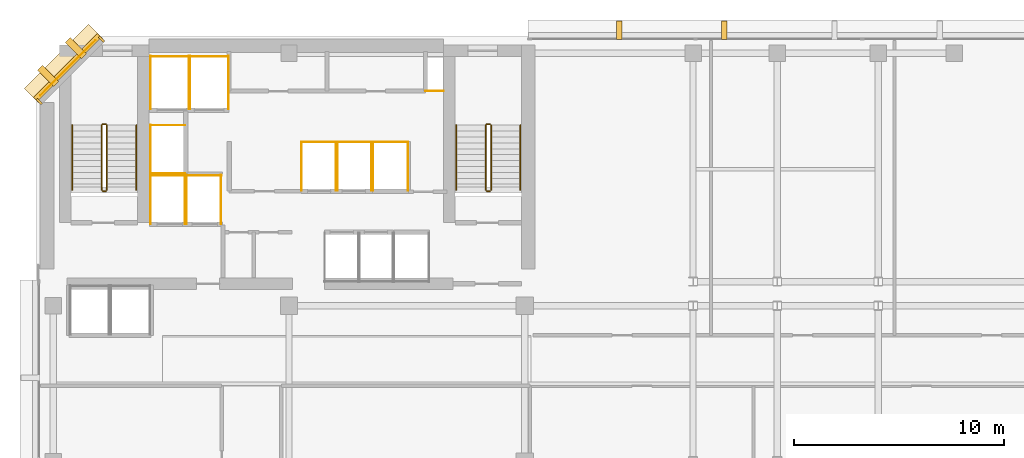
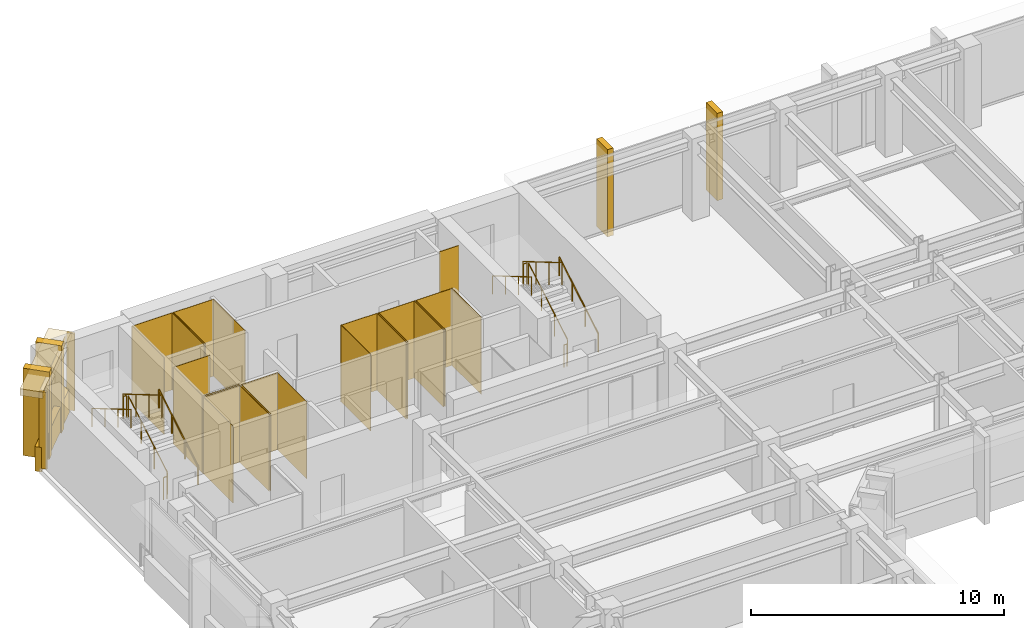
# One storey, part 11 of 12: 34 coverings, 12 railings.
"""IFC4 building model written with IfcOpenShell, lengths in metres."""

from ifc_helpers import new_model, si_unit, direction, frame, origin, origin_2d, place, context, subcontext, project, spatial, polyline, rectangle, circle, outline, extrude, material, layer, layer_set, type_object, element, save


model = new_model("IFC4")

# Units and contexts
model_context = context("Model", 3, precision=1e-05, world=origin(), true_north=direction((0.0, 1.0)))
body_context = subcontext(model_context, "Body", "Model", "MODEL_VIEW")
ifc_project = project(units=[si_unit("LENGTHUNIT", "METRE"), si_unit("AREAUNIT", "SQUARE_METRE"), si_unit("VOLUMEUNIT", "CUBIC_METRE"), si_unit("PLANEANGLEUNIT", "RADIAN"), si_unit("MASSUNIT", "GRAM", prefix="KILO")], contexts=[model_context])

# Site, building, storey
site_placement = place(None, origin())
site = spatial("IfcSite", under=ifc_project, at=site_placement, CompositionType="ELEMENT")
building_placement = place(site_placement, origin())
building = spatial("IfcBuilding", under=site, at=building_placement, Name="Kefirva Bronze Tower", CompositionType="ELEMENT")
storey_placement = place(building_placement, frame((0.0, 0.0, 199.320068359375)))
storey = spatial("IfcBuildingStorey", under=building, at=storey_placement, Name="L48", CompositionType="ELEMENT", Elevation=199.320068359375)

# Coverings
ifc_material_1 = material(Name="Bronze anodised aluminium", Category="aluminium")
ifc_layer_1 = layer(ifc_material_1, 0.02001953125, Name="Bronze anodised aluminium")
ifc_layer_set_1 = layer_set([ifc_layer_1], Name="Bronze anodised aluminium")
covering_type_1 = type_object("IfcCoveringType", Name="Anodised Bronze Spandrel Cladding 20mm", PredefinedType="CLADDING", material=ifc_layer_set_1)
covering_1_placement = place(storey_placement, frame((1.492919921875, 44.507080078125, 3.2900390625), z_axis=(0.0, 0.0, 1.0), x_axis=(-0.707106781187, -0.707106781187, 0.0)))
element("IfcCovering", 1, at=covering_1_placement, inside=storey, type_object=covering_type_1, Name="L48 Bronze Spandrel Cladding 9", PredefinedType="CLADDING", context=body_context, shape_type="SweptSolid", body=[
    extrude(rectangle(XDim=3.719482421875, YDim=0.02001953125, at=origin_2d()), origin(), (0.0, 0.0, 1.0), 0.39990234375),
])
for number, where, z_axis, x_axis, name in (
    (2, (3.08837890625, 45.862060546875, 0.0), (0.0, 0.0, 1.0), (-0.707106781187, -0.707106781187, 0.0), "L48 Facade Joint Closure Panel 9S"),
    (3, (0.137939453125, 42.91162109375, 0.0), (0.0, 0.0, 1.0), (-0.707106781187, -0.707106781187, 0.0), "L48 Facade Joint Closure Panel 9E"),
):
    element("IfcCovering", number, at=place(storey_placement, frame(where, z_axis=z_axis, x_axis=x_axis)), inside=storey, type_object=covering_type_1, Name=name, PredefinedType="CLADDING", context=body_context, shape_type="SweptSolid", body=[
        extrude(rectangle(XDim=0.10009765625, YDim=0.320068359375, at=origin_2d()), origin(), (0.0, 0.0, 1.0), 3.7099609375),
    ])
covering_2_placement = place(storey_placement, frame((1.4716796875, 44.5283203125, -0.16015625), z_axis=(0.0, 0.0, 1.0), x_axis=(-0.707106781187, -0.707106781187, 0.0)))
element("IfcCovering", 4, at=covering_2_placement, inside=storey, type_object=covering_type_1, Name="L48 Streamline Horizontal Spandrel Band 13", PredefinedType="CLADDING", context=body_context, shape_type="SweptSolid", body=[
    extrude(rectangle(XDim=4.28271484375, YDim=0.280029296875, at=origin_2d()), origin(), (0.0, 0.0, 1.0), 1.179931640625),
])
covering_3_placement = place(storey_placement, origin())
element("IfcCovering", 5, at=covering_3_placement, inside=storey, type_object=covering_type_1, Name="L48 Lift FF1 Hoistway Liner N", PredefinedType="CLADDING", context=body_context, shape_type="SweptSolid", body=[
    extrude(outline(polyline([(5.39990234375, 39.389892578125), (7.080078125, 39.389892578125), (7.080078125, 39.409912109375), (5.39990234375, 39.409912109375), (5.39990234375, 39.389892578125)])), origin(), (0.0, 0.0, 1.0), 3.7099609375),
])
covering_4_placement = place(storey_placement, origin())
element("IfcCovering", 6, at=covering_4_placement, inside=storey, type_object=covering_type_1, Name="L48 Lift FF1 Hoistway Liner W", PredefinedType="CLADDING", context=body_context, shape_type="SweptSolid", body=[
    extrude(outline(polyline([(5.409912109375, 37.080078125), (5.429931640625, 37.080078125), (5.429931640625, 39.419921875), (5.409912109375, 39.419921875), (5.409912109375, 37.080078125)])), origin(), (0.0, 0.0, 1.0), 3.7099609375),
])
covering_5_placement = place(storey_placement, origin())
element("IfcCovering", 7, at=covering_5_placement, inside=storey, type_object=covering_type_1, Name="L48 Lift FF1 Hoistway Liner E", PredefinedType="CLADDING", context=body_context, shape_type="SweptSolid", body=[
    extrude(outline(polyline([(7.050048828125, 37.080078125), (7.070068359375, 37.080078125), (7.070068359375, 39.419921875), (7.050048828125, 39.419921875), (7.050048828125, 37.080078125)])), origin(), (0.0, 0.0, 1.0), 3.7099609375),
])
covering_6_placement = place(storey_placement, origin())
element("IfcCovering", 8, at=covering_6_placement, inside=storey, type_object=covering_type_1, Name="L48 Lift FF2 Hoistway Liner N", PredefinedType="CLADDING", context=body_context, shape_type="SweptSolid", body=[
    extrude(outline(polyline([(7.1201171875, 39.389892578125), (8.800048828125, 39.389892578125), (8.800048828125, 39.409912109375), (7.1201171875, 39.409912109375), (7.1201171875, 39.389892578125)])), origin(), (0.0, 0.0, 1.0), 3.7099609375),
])
covering_7_placement = place(storey_placement, origin())
element("IfcCovering", 9, at=covering_7_placement, inside=storey, type_object=covering_type_1, Name="L48 Lift FF2 Hoistway Liner W", PredefinedType="CLADDING", context=body_context, shape_type="SweptSolid", body=[
    extrude(outline(polyline([(7.1298828125, 37.080078125), (7.14990234375, 37.080078125), (7.14990234375, 39.419921875), (7.1298828125, 39.419921875), (7.1298828125, 37.080078125)])), origin(), (0.0, 0.0, 1.0), 3.7099609375),
])
covering_8_placement = place(storey_placement, origin())
element("IfcCovering", 10, at=covering_8_placement, inside=storey, type_object=covering_type_1, Name="L48 Lift FF2 Hoistway Liner E", PredefinedType="CLADDING", context=body_context, shape_type="SweptSolid", body=[
    extrude(outline(polyline([(8.77001953125, 37.080078125), (8.7900390625, 37.080078125), (8.7900390625, 39.419921875), (8.77001953125, 39.419921875), (8.77001953125, 37.080078125)])), origin(), (0.0, 0.0, 1.0), 3.7099609375),
])
covering_9_placement = place(storey_placement, origin())
element("IfcCovering", 11, at=covering_9_placement, inside=storey, type_object=covering_type_1, Name="L48 Lift SV1 Hoistway Liner N", PredefinedType="CLADDING", context=body_context, shape_type="SweptSolid", body=[
    extrude(outline(polyline([(5.39990234375, 45.0400390625), (7.260009765625, 45.0400390625), (7.260009765625, 45.06005859375), (5.39990234375, 45.06005859375), (5.39990234375, 45.0400390625)])), origin(), (0.0, 0.0, 1.0), 3.7099609375),
])
covering_10_placement = place(storey_placement, origin())
element("IfcCovering", 12, at=covering_10_placement, inside=storey, type_object=covering_type_1, Name="L48 Lift SV1 Hoistway Liner W", PredefinedType="CLADDING", context=body_context, shape_type="SweptSolid", body=[
    extrude(outline(polyline([(5.409912109375, 42.530029296875), (5.429931640625, 42.530029296875), (5.429931640625, 45.070068359375), (5.409912109375, 45.070068359375), (5.409912109375, 42.530029296875)])), origin(), (0.0, 0.0, 1.0), 3.7099609375),
])
covering_11_placement = place(storey_placement, origin())
element("IfcCovering", 13, at=covering_11_placement, inside=storey, type_object=covering_type_1, Name="L48 Lift SV1 Hoistway Liner E", PredefinedType="CLADDING", context=body_context, shape_type="SweptSolid", body=[
    extrude(outline(polyline([(7.22998046875, 42.530029296875), (7.25, 42.530029296875), (7.25, 45.070068359375), (7.22998046875, 45.070068359375), (7.22998046875, 42.530029296875)])), origin(), (0.0, 0.0, 1.0), 3.7099609375),
])
covering_12_placement = place(storey_placement, origin())
element("IfcCovering", 14, at=covering_12_placement, inside=storey, type_object=covering_type_1, Name="L48 Lift SV2 Hoistway Liner N", PredefinedType="CLADDING", context=body_context, shape_type="SweptSolid", body=[
    extrude(outline(polyline([(7.280029296875, 45.0400390625), (9.139892578125, 45.0400390625), (9.139892578125, 45.06005859375), (7.280029296875, 45.06005859375), (7.280029296875, 45.0400390625)])), origin(), (0.0, 0.0, 1.0), 3.7099609375),
])
covering_13_placement = place(storey_placement, origin())
element("IfcCovering", 15, at=covering_13_placement, inside=storey, type_object=covering_type_1, Name="L48 Lift SV2 Hoistway Liner W", PredefinedType="CLADDING", context=body_context, shape_type="SweptSolid", body=[
    extrude(outline(polyline([(7.2900390625, 42.530029296875), (7.31005859375, 42.530029296875), (7.31005859375, 45.070068359375), (7.2900390625, 45.070068359375), (7.2900390625, 42.530029296875)])), origin(), (0.0, 0.0, 1.0), 3.7099609375),
])
covering_14_placement = place(storey_placement, origin())
element("IfcCovering", 16, at=covering_14_placement, inside=storey, type_object=covering_type_1, Name="L48 Lift SV2 Hoistway Liner E", PredefinedType="CLADDING", context=body_context, shape_type="SweptSolid", body=[
    extrude(outline(polyline([(9.110107421875, 42.530029296875), (9.1298828125, 42.530029296875), (9.1298828125, 45.070068359375), (9.110107421875, 45.070068359375), (9.110107421875, 42.530029296875)])), origin(), (0.0, 0.0, 1.0), 3.7099609375),
])
covering_15_placement = place(storey_placement, origin())
element("IfcCovering", 17, at=covering_15_placement, inside=storey, type_object=covering_type_1, Name="L48 Lift MP3 Hoistway Liner N", PredefinedType="CLADDING", context=body_context, shape_type="SweptSolid", body=[
    extrude(outline(polyline([(12.580078125, 40.969970703125), (14.25, 40.969970703125), (14.25, 40.989990234375), (12.580078125, 40.989990234375), (12.580078125, 40.969970703125)])), origin(), (0.0, 0.0, 1.0), 3.7099609375),
])
covering_16_placement = place(storey_placement, origin())
element("IfcCovering", 18, at=covering_16_placement, inside=storey, type_object=covering_type_1, Name="L48 Lift MP3 Hoistway Liner W", PredefinedType="CLADDING", context=body_context, shape_type="SweptSolid", body=[
    extrude(outline(polyline([(12.590087890625, 38.659912109375), (12.610107421875, 38.659912109375), (12.610107421875, 41.0), (12.590087890625, 41.0), (12.590087890625, 38.659912109375)])), origin(), (0.0, 0.0, 1.0), 3.7099609375),
])
covering_17_placement = place(storey_placement, origin())
element("IfcCovering", 19, at=covering_17_placement, inside=storey, type_object=covering_type_1, Name="L48 Lift MP3 Hoistway Liner E", PredefinedType="CLADDING", context=body_context, shape_type="SweptSolid", body=[
    extrude(outline(polyline([(14.219970703125, 38.659912109375), (14.239990234375, 38.659912109375), (14.239990234375, 41.0), (14.219970703125, 41.0), (14.219970703125, 38.659912109375)])), origin(), (0.0, 0.0, 1.0), 3.7099609375),
])
covering_18_placement = place(storey_placement, origin())
element("IfcCovering", 20, at=covering_18_placement, inside=storey, type_object=covering_type_1, Name="L48 Lift MP4 Hoistway Liner N", PredefinedType="CLADDING", context=body_context, shape_type="SweptSolid", body=[
    extrude(outline(polyline([(14.280029296875, 40.969970703125), (15.949951171875, 40.969970703125), (15.949951171875, 40.989990234375), (14.280029296875, 40.989990234375), (14.280029296875, 40.969970703125)])), origin(), (0.0, 0.0, 1.0), 3.7099609375),
])
covering_19_placement = place(storey_placement, origin())
element("IfcCovering", 21, at=covering_19_placement, inside=storey, type_object=covering_type_1, Name="L48 Lift MP4 Hoistway Liner W", PredefinedType="CLADDING", context=body_context, shape_type="SweptSolid", body=[
    extrude(outline(polyline([(14.2900390625, 38.659912109375), (14.31005859375, 38.659912109375), (14.31005859375, 41.0), (14.2900390625, 41.0), (14.2900390625, 38.659912109375)])), origin(), (0.0, 0.0, 1.0), 3.7099609375),
])
covering_20_placement = place(storey_placement, origin())
element("IfcCovering", 22, at=covering_20_placement, inside=storey, type_object=covering_type_1, Name="L48 Lift MP4 Hoistway Liner E", PredefinedType="CLADDING", context=body_context, shape_type="SweptSolid", body=[
    extrude(outline(polyline([(15.919921875, 38.659912109375), (15.93994140625, 38.659912109375), (15.93994140625, 41.0), (15.919921875, 41.0), (15.919921875, 38.659912109375)])), origin(), (0.0, 0.0, 1.0), 3.7099609375),
])
covering_21_placement = place(storey_placement, origin())
element("IfcCovering", 23, at=covering_21_placement, inside=storey, type_object=covering_type_1, Name="L48 Lift HP2 Hoistway Liner N", PredefinedType="CLADDING", context=body_context, shape_type="SweptSolid", body=[
    extrude(outline(polyline([(15.97998046875, 40.969970703125), (17.669921875, 40.969970703125), (17.669921875, 40.989990234375), (15.97998046875, 40.989990234375), (15.97998046875, 40.969970703125)])), origin(), (0.0, 0.0, 1.0), 3.7099609375),
])
covering_22_placement = place(storey_placement, origin())
element("IfcCovering", 24, at=covering_22_placement, inside=storey, type_object=covering_type_1, Name="L48 Lift HP2 Hoistway Liner W", PredefinedType="CLADDING", context=body_context, shape_type="SweptSolid", body=[
    extrude(outline(polyline([(15.989990234375, 38.659912109375), (16.010009765625, 38.659912109375), (16.010009765625, 41.0), (15.989990234375, 41.0), (15.989990234375, 38.659912109375)])), origin(), (0.0, 0.0, 1.0), 3.7099609375),
])
covering_23_placement = place(storey_placement, origin())
element("IfcCovering", 25, at=covering_23_placement, inside=storey, type_object=covering_type_1, Name="L48 Lift HP2 Hoistway Liner E", PredefinedType="CLADDING", context=body_context, shape_type="SweptSolid", body=[
    extrude(outline(polyline([(17.639892578125, 38.659912109375), (17.659912109375, 38.659912109375), (17.659912109375, 41.0), (17.639892578125, 41.0), (17.639892578125, 38.659912109375)])), origin(), (0.0, 0.0, 1.0), 3.7099609375),
])
covering_24_placement = place(storey_placement, origin())
element("IfcCovering", 26, at=covering_24_placement, inside=storey, type_object=covering_type_1, Name="L48 Lift HP3 Hoistway Liner N", PredefinedType="CLADDING", context=body_context, shape_type="SweptSolid", body=[
    extrude(outline(polyline([(5.39990234375, 41.77001953125), (7.080078125, 41.77001953125), (7.080078125, 41.7900390625), (5.39990234375, 41.7900390625), (5.39990234375, 41.77001953125)])), origin(), (0.0, 0.0, 1.0), 3.7099609375),
])
covering_25_placement = place(storey_placement, origin())
element("IfcCovering", 27, at=covering_25_placement, inside=storey, type_object=covering_type_1, Name="L48 Lift HP3 Hoistway Liner S", PredefinedType="CLADDING", context=body_context, shape_type="SweptSolid", body=[
    extrude(outline(polyline([(5.39990234375, 39.469970703125), (7.080078125, 39.469970703125), (7.080078125, 39.489990234375), (5.39990234375, 39.489990234375), (5.39990234375, 39.469970703125)])), origin(), (0.0, 0.0, 1.0), 3.7099609375),
])
covering_26_placement = place(storey_placement, origin())
element("IfcCovering", 28, at=covering_26_placement, inside=storey, type_object=covering_type_1, Name="L48 Lift HP3 Hoistway Liner W", PredefinedType="CLADDING", context=body_context, shape_type="SweptSolid", body=[
    extrude(outline(polyline([(5.409912109375, 39.4599609375), (5.429931640625, 39.4599609375), (5.429931640625, 41.800048828125), (5.409912109375, 41.800048828125), (5.409912109375, 39.4599609375)])), origin(), (0.0, 0.0, 1.0), 3.7099609375),
])
covering_27_placement = place(storey_placement, origin())
element("IfcCovering", 29, at=covering_27_placement, inside=storey, type_object=covering_type_1, Name="L48 Core MEP Riser Shaft Liner South", PredefinedType="CLADDING", context=body_context, shape_type="SweptSolid", body=[
    extrude(outline(polyline([(18.47998046875, 43.39990234375), (19.360107421875, 43.39990234375), (19.360107421875, 43.429931640625), (18.47998046875, 43.429931640625), (18.47998046875, 43.39990234375)])), origin(), (0.0, 0.0, 1.0), 3.7099609375),
])

# Railings
ifc_material_2 = material(Name="Stainless steel 316", Category="steel")
railing_type_1 = type_object("IfcRailingType", Name="Interior Stair Guardrail 1100mm", PredefinedType="GUARDRAIL", material=ifc_material_2)
railing_1_placement = place(storey_placement, frame((3.35009765625, 38.699951171875, 0.1650390625)))
element("IfcRailing", 30, at=railing_1_placement, inside=storey, type_object=railing_type_1, Name="L48 ST-1 stair guard 1", PredefinedType="GUARDRAIL", context=body_context, shape_type="SweptSolid", body=[
    extrude(circle(Radius=0.02392578125, at=origin_2d()), frame((0.0, 0.0, 1.076171875), z_axis=(0.0, 0.861551262678, 0.507670583921), x_axis=(-1.0, 0.0, 0.0)), (0.0, 0.0, 1.0), 3.574951171875),
    extrude(circle(Radius=0.02099609375, at=origin_2d()), origin(), (0.0, 0.0, 1.0), 1.052001953125),
    extrude(circle(Radius=0.02099609375, at=origin_2d()), frame((0.0, 1.026611328125, 0.60498046875)), (0.0, 0.0, 1.0), 1.052001953125),
    extrude(circle(Radius=0.02099609375, at=origin_2d()), frame((0.0, 2.053466796875, 1.2099609375)), (0.0, 0.0, 1.0), 1.052001953125),
    extrude(circle(Radius=0.02099609375, at=origin_2d()), frame((0.0, 3.080078125, 1.81494140625)), (0.0, 0.0, 1.0), 1.052001953125),
])
railing_2_placement = place(storey_placement, frame((3.300048828125, 41.830078125, 1.97998046875)))
element("IfcRailing", 31, at=railing_2_placement, inside=storey, type_object=railing_type_1, Name="L48 ST-1 stair guard 2", PredefinedType="GUARDRAIL", context=body_context, shape_type="SweptSolid", body=[
    extrude(circle(Radius=0.02392578125, at=origin_2d()), frame((0.0, 0.0, 1.076171875), z_axis=(-1.0, 0.0, 0.0), x_axis=(0.0, -1.0, 0.0)), (0.0, 0.0, 1.0), 0.150146484375),
    extrude(circle(Radius=0.02099609375, at=origin_2d()), origin(), (0.0, 0.0, 1.0), 1.052001953125),
    extrude(circle(Radius=0.02099609375, at=origin_2d()), frame((-0.150146484375, 0.0, 0.0)), (0.0, 0.0, 1.0), 1.052001953125),
])
railing_3_placement = place(storey_placement, frame((3.10009765625, 41.780029296875, 2.14501953125)))
element("IfcRailing", 32, at=railing_3_placement, inside=storey, type_object=railing_type_1, Name="L48 ST-1 stair guard 3", PredefinedType="GUARDRAIL", context=body_context, shape_type="SweptSolid", body=[
    extrude(circle(Radius=0.02392578125, at=origin_2d()), frame((0.0, 0.0, 1.076171875), z_axis=(0.0, -0.861551262678, 0.507670583921), x_axis=(1.0, 0.0, 0.0)), (0.0, 0.0, 1.0), 3.574951171875),
    extrude(circle(Radius=0.02099609375, at=origin_2d()), origin(), (0.0, 0.0, 1.0), 1.052001953125),
    extrude(circle(Radius=0.02099609375, at=origin_2d()), frame((0.0, -1.026611328125, 0.60498046875)), (0.0, 0.0, 1.0), 1.052001953125),
    extrude(circle(Radius=0.02099609375, at=origin_2d()), frame((0.0, -2.053466796875, 1.2099609375)), (0.0, 0.0, 1.0), 1.052001953125),
    extrude(circle(Radius=0.02099609375, at=origin_2d()), frame((0.0, -3.080078125, 1.81494140625)), (0.0, 0.0, 1.0), 1.052001953125),
])
railing_4_placement = place(storey_placement, frame((3.300048828125, 38.64990234375, 0.0)))
element("IfcRailing", 33, at=railing_4_placement, inside=storey, type_object=railing_type_1, Name="L48 ST-1 stair guard 4", PredefinedType="GUARDRAIL", context=body_context, shape_type="SweptSolid", body=[
    extrude(circle(Radius=0.02392578125, at=origin_2d()), frame((0.0, 0.0, 1.076171875), z_axis=(-1.0, 0.0, 0.0), x_axis=(0.0, -1.0, 0.0)), (0.0, 0.0, 1.0), 0.150146484375),
    extrude(circle(Radius=0.02099609375, at=origin_2d()), origin(), (0.0, 0.0, 1.0), 1.052001953125),
    extrude(circle(Radius=0.02099609375, at=origin_2d()), frame((-0.150146484375, 0.0, 0.0)), (0.0, 0.0, 1.0), 1.052001953125),
])
railing_5_placement = place(storey_placement, frame((21.60009765625, 38.699951171875, 0.1650390625)))
element("IfcRailing", 34, at=railing_5_placement, inside=storey, type_object=railing_type_1, Name="L48 ST-2 stair guard 1", PredefinedType="GUARDRAIL", context=body_context, shape_type="SweptSolid", body=[
    extrude(circle(Radius=0.02392578125, at=origin_2d()), frame((0.0, 0.0, 1.076171875), z_axis=(0.0, 0.861551262678, 0.507670583921), x_axis=(-1.0, 0.0, 0.0)), (0.0, 0.0, 1.0), 3.574951171875),
    extrude(circle(Radius=0.02099609375, at=origin_2d()), origin(), (0.0, 0.0, 1.0), 1.052001953125),
    extrude(circle(Radius=0.02099609375, at=origin_2d()), frame((0.0, 1.026611328125, 0.60498046875)), (0.0, 0.0, 1.0), 1.052001953125),
    extrude(circle(Radius=0.02099609375, at=origin_2d()), frame((0.0, 2.053466796875, 1.2099609375)), (0.0, 0.0, 1.0), 1.052001953125),
    extrude(circle(Radius=0.02099609375, at=origin_2d()), frame((0.0, 3.080078125, 1.81494140625)), (0.0, 0.0, 1.0), 1.052001953125),
])
railing_6_placement = place(storey_placement, frame((21.550048828125, 41.830078125, 1.97998046875)))
element("IfcRailing", 35, at=railing_6_placement, inside=storey, type_object=railing_type_1, Name="L48 ST-2 stair guard 2", PredefinedType="GUARDRAIL", context=body_context, shape_type="SweptSolid", body=[
    extrude(circle(Radius=0.02392578125, at=origin_2d()), frame((0.0, 0.0, 1.076171875), z_axis=(-1.0, 0.0, 0.0), x_axis=(0.0, -1.0, 0.0)), (0.0, 0.0, 1.0), 0.150146484375),
    extrude(circle(Radius=0.02099609375, at=origin_2d()), origin(), (0.0, 0.0, 1.0), 1.052001953125),
    extrude(circle(Radius=0.02099609375, at=origin_2d()), frame((-0.150146484375, 0.0, 0.0)), (0.0, 0.0, 1.0), 1.052001953125),
])
railing_7_placement = place(storey_placement, frame((21.35009765625, 41.780029296875, 2.14501953125)))
element("IfcRailing", 36, at=railing_7_placement, inside=storey, type_object=railing_type_1, Name="L48 ST-2 stair guard 3", PredefinedType="GUARDRAIL", context=body_context, shape_type="SweptSolid", body=[
    extrude(circle(Radius=0.02392578125, at=origin_2d()), frame((0.0, 0.0, 1.076171875), z_axis=(0.0, -0.861551262678, 0.507670583921), x_axis=(1.0, 0.0, 0.0)), (0.0, 0.0, 1.0), 3.574951171875),
    extrude(circle(Radius=0.02099609375, at=origin_2d()), origin(), (0.0, 0.0, 1.0), 1.052001953125),
    extrude(circle(Radius=0.02099609375, at=origin_2d()), frame((0.0, -1.026611328125, 0.60498046875)), (0.0, 0.0, 1.0), 1.052001953125),
    extrude(circle(Radius=0.02099609375, at=origin_2d()), frame((0.0, -2.053466796875, 1.2099609375)), (0.0, 0.0, 1.0), 1.052001953125),
    extrude(circle(Radius=0.02099609375, at=origin_2d()), frame((0.0, -3.080078125, 1.81494140625)), (0.0, 0.0, 1.0), 1.052001953125),
])
railing_8_placement = place(storey_placement, frame((21.550048828125, 38.64990234375, 0.0)))
element("IfcRailing", 37, at=railing_8_placement, inside=storey, type_object=railing_type_1, Name="L48 ST-2 stair guard 4", PredefinedType="GUARDRAIL", context=body_context, shape_type="SweptSolid", body=[
    extrude(circle(Radius=0.02392578125, at=origin_2d()), frame((0.0, 0.0, 1.076171875), z_axis=(-1.0, 0.0, 0.0), x_axis=(0.0, -1.0, 0.0)), (0.0, 0.0, 1.0), 0.150146484375),
    extrude(circle(Radius=0.02099609375, at=origin_2d()), origin(), (0.0, 0.0, 1.0), 1.052001953125),
    extrude(circle(Radius=0.02099609375, at=origin_2d()), frame((-0.150146484375, 0.0, 0.0)), (0.0, 0.0, 1.0), 1.052001953125),
])
railing_type_2 = type_object("IfcRailingType", Name="Stair Pitch Handrail 900mm", PredefinedType="HANDRAIL", material=ifc_material_2)
railing_9_placement = place(storey_placement, frame((4.75, 38.699951171875, 0.1650390625)))
element("IfcRailing", 38, at=railing_9_placement, inside=storey, type_object=railing_type_2, Name="L48 ST-1 stair handrail 1", PredefinedType="HANDRAIL", context=body_context, shape_type="SweptSolid", body=[
    extrude(circle(Radius=0.02392578125, at=origin_2d()), frame((0.0, 0.0, 0.8759765625), z_axis=(0.0, 0.861551262678, 0.507670583921), x_axis=(-1.0, 0.0, 0.0)), (0.0, 0.0, 1.0), 3.574951171875),
    extrude(circle(Radius=0.02099609375, at=origin_2d()), origin(), (0.0, 0.0, 1.0), 0.851806640625),
    extrude(circle(Radius=0.02099609375, at=origin_2d()), frame((0.0, 1.026611328125, 0.60498046875)), (0.0, 0.0, 1.0), 0.851806640625),
    extrude(circle(Radius=0.02099609375, at=origin_2d()), frame((0.0, 2.053466796875, 1.2099609375)), (0.0, 0.0, 1.0), 0.851806640625),
    extrude(circle(Radius=0.02099609375, at=origin_2d()), frame((0.0, 3.080078125, 1.81494140625)), (0.0, 0.0, 1.0), 0.851806640625),
])
railing_10_placement = place(storey_placement, frame((1.699951171875, 41.780029296875, 2.14501953125)))
element("IfcRailing", 39, at=railing_10_placement, inside=storey, type_object=railing_type_2, Name="L48 ST-1 stair handrail 2", PredefinedType="HANDRAIL", context=body_context, shape_type="SweptSolid", body=[
    extrude(circle(Radius=0.02392578125, at=origin_2d()), frame((0.0, 0.0, 0.8759765625), z_axis=(0.0, -0.861551262678, 0.507670583921), x_axis=(1.0, 0.0, 0.0)), (0.0, 0.0, 1.0), 3.574951171875),
    extrude(circle(Radius=0.02099609375, at=origin_2d()), origin(), (0.0, 0.0, 1.0), 0.851806640625),
    extrude(circle(Radius=0.02099609375, at=origin_2d()), frame((0.0, -1.026611328125, 0.60498046875)), (0.0, 0.0, 1.0), 0.851806640625),
    extrude(circle(Radius=0.02099609375, at=origin_2d()), frame((0.0, -2.053466796875, 1.2099609375)), (0.0, 0.0, 1.0), 0.851806640625),
    extrude(circle(Radius=0.02099609375, at=origin_2d()), frame((0.0, -3.080078125, 1.81494140625)), (0.0, 0.0, 1.0), 0.851806640625),
])
railing_11_placement = place(storey_placement, frame((23.0, 38.699951171875, 0.1650390625)))
element("IfcRailing", 40, at=railing_11_placement, inside=storey, type_object=railing_type_2, Name="L48 ST-2 stair handrail 1", PredefinedType="HANDRAIL", context=body_context, shape_type="SweptSolid", body=[
    extrude(circle(Radius=0.02392578125, at=origin_2d()), frame((0.0, 0.0, 0.8759765625), z_axis=(0.0, 0.861551262678, 0.507670583921), x_axis=(-1.0, 0.0, 0.0)), (0.0, 0.0, 1.0), 3.574951171875),
    extrude(circle(Radius=0.02099609375, at=origin_2d()), origin(), (0.0, 0.0, 1.0), 0.851806640625),
    extrude(circle(Radius=0.02099609375, at=origin_2d()), frame((0.0, 1.026611328125, 0.60498046875)), (0.0, 0.0, 1.0), 0.851806640625),
    extrude(circle(Radius=0.02099609375, at=origin_2d()), frame((0.0, 2.053466796875, 1.2099609375)), (0.0, 0.0, 1.0), 0.851806640625),
    extrude(circle(Radius=0.02099609375, at=origin_2d()), frame((0.0, 3.080078125, 1.81494140625)), (0.0, 0.0, 1.0), 0.851806640625),
])
railing_12_placement = place(storey_placement, frame((19.949951171875, 41.780029296875, 2.14501953125)))
element("IfcRailing", 41, at=railing_12_placement, inside=storey, type_object=railing_type_2, Name="L48 ST-2 stair handrail 2", PredefinedType="HANDRAIL", context=body_context, shape_type="SweptSolid", body=[
    extrude(circle(Radius=0.02392578125, at=origin_2d()), frame((0.0, 0.0, 0.8759765625), z_axis=(0.0, -0.861551262678, 0.507670583921), x_axis=(1.0, 0.0, 0.0)), (0.0, 0.0, 1.0), 3.574951171875),
    extrude(circle(Radius=0.02099609375, at=origin_2d()), origin(), (0.0, 0.0, 1.0), 0.851806640625),
    extrude(circle(Radius=0.02099609375, at=origin_2d()), frame((0.0, -1.026611328125, 0.60498046875)), (0.0, 0.0, 1.0), 0.851806640625),
    extrude(circle(Radius=0.02099609375, at=origin_2d()), frame((0.0, -2.053466796875, 1.2099609375)), (0.0, 0.0, 1.0), 0.851806640625),
    extrude(circle(Radius=0.02099609375, at=origin_2d()), frame((0.0, -3.080078125, 1.81494140625)), (0.0, 0.0, 1.0), 0.851806640625),
])

# Coverings
ifc_layer_2 = layer(ifc_material_1, 0.179931640625, Name="Bronze anodised aluminium")
ifc_layer_set_2 = layer_set([ifc_layer_2], Name="Bronze anodised aluminium")
covering_type_2 = type_object("IfcCoveringType", Name="Streamline Bronze Sunshade Eyebrow Cladding 180mm", PredefinedType="CLADDING", material=ifc_layer_set_2)
covering_28_placement = place(storey_placement, frame((1.28076171875, 44.71923828125, 3.39013671875), z_axis=(0.0, 0.0, 1.0), x_axis=(-0.707106781187, -0.707106781187, 0.0)))
element("IfcCovering", 42, at=covering_28_placement, inside=storey, type_object=covering_type_2, Name="L48 Streamline Bronze Sunshade Eyebrow 13", PredefinedType="CLADDING", context=body_context, shape_type="SweptSolid", body=[
    extrude(rectangle(XDim=4.322509765625, YDim=0.93994140625, at=origin_2d()), origin(), (0.0, 0.0, 1.0), 0.320068359375),
])
ifc_layer_3 = layer(ifc_material_1, 0.260009765625, Name="Bronze anodised aluminium")
ifc_layer_set_3 = layer_set([ifc_layer_3], Name="Bronze anodised aluminium")
covering_type_3 = type_object("IfcCoveringType", Name="Unbroken Bronze Buttress Fin Cladding 260mm", PredefinedType="CLADDING", material=ifc_layer_set_3)
for number, where, z_axis, x_axis, name in (
    (43, (32.68505859375, 46.300048828125, -0.25), (0.0, 0.0, 1.0), (-1.0, 0.0, 0.0), "L48 Unbroken Vertical Bronze Rib Fin 19"),
    (44, (27.68798828125, 46.300048828125, -0.25), (0.0, 0.0, 1.0), (-1.0, 0.0, 0.0), "L48 Unbroken Vertical Bronze Rib Fin 20"),
):
    element("IfcCovering", number, at=place(storey_placement, frame(where, z_axis=z_axis, x_axis=x_axis)), inside=storey, type_object=covering_type_3, Name=name, PredefinedType="CLADDING", context=body_context, shape_type="SweptSolid", body=[
        extrude(rectangle(XDim=0.260009765625, YDim=0.8798828125, at=origin_2d()), origin(), (0.0, 0.0, 1.0), 4.2099609375),
    ])
for number, where, z_axis, x_axis, name in (
    (45, (1.877197265625, 45.44287109375, -0.25), (0.0, 0.0, 1.0), (-0.707106781187, -0.707106781187, 0.0), "L48 Chamfered Corner Buttress Fin Cladding 21"),
    (46, (0.55712890625, 44.122802734375, -0.25), (0.0, 0.0, 1.0), (-0.707106781187, -0.707106781187, 0.0), "L48 Chamfered Corner Buttress Fin Cladding 22"),
):
    element("IfcCovering", number, at=place(storey_placement, frame(where, z_axis=z_axis, x_axis=x_axis)), inside=storey, type_object=covering_type_3, Name=name, PredefinedType="CLADDING", context=body_context, shape_type="SweptSolid", body=[
        extrude(rectangle(XDim=0.340087890625, YDim=1.080078125, at=origin_2d()), origin(), (0.0, 0.0, 1.0), 4.2099609375),
    ])

save(model, "model.ifc")
